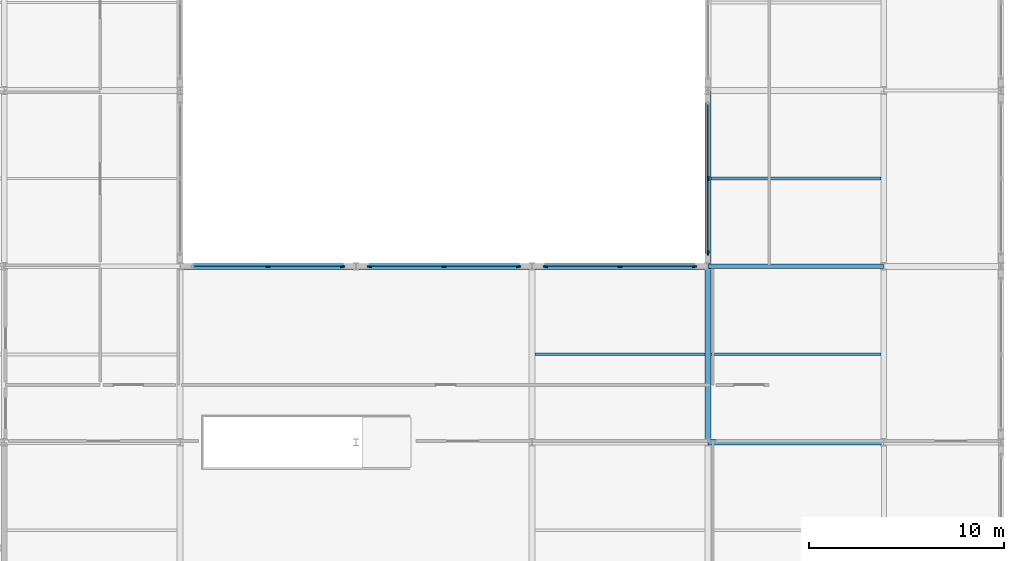
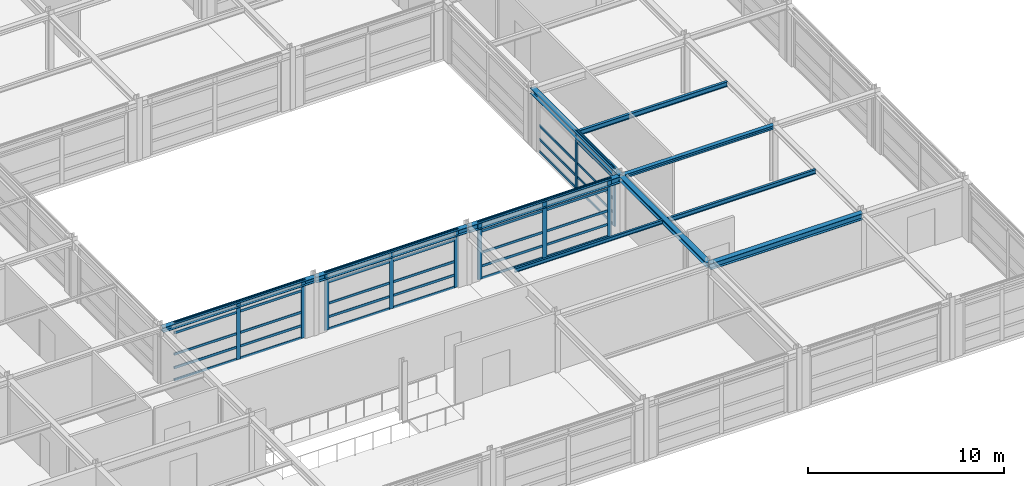
# One storey, part 41 of 79: 48 members, 10 beams, 4 elements without a shape of their own.
"""IFC4 building model written with IfcOpenShell, lengths in metres."""

from ifc_helpers import new_model, si_unit, direction, frame, origin, origin_2d, place, context, subcontext, project, spatial, rectangle, i_section, extrude, material, material_profile, profile_set, type_object, element, aggregate, save


model = new_model("IFC4")

# Units and contexts
model_context = context("Model", 3, precision=1e-05, world=origin(), true_north=direction((0.0, 1.0)))
body_context = subcontext(model_context, "Body", "Model", "MODEL_VIEW")
ifc_project = project(units=[si_unit("LENGTHUNIT", "METRE"), si_unit("AREAUNIT", "SQUARE_METRE"), si_unit("VOLUMEUNIT", "CUBIC_METRE"), si_unit("PLANEANGLEUNIT", "RADIAN"), si_unit("MASSUNIT", "GRAM", prefix="KILO")], contexts=[model_context])

# Site, building, storey
site_placement = place(None, origin())
site = spatial("IfcSite", under=ifc_project, at=site_placement, CompositionType="ELEMENT")
building_placement = place(site_placement, origin())
building = spatial("IfcBuilding", under=site, at=building_placement, Name="Palais des Congres Ocreval", CompositionType="ELEMENT")
storey_placement = place(building_placement, frame((0.0, 0.0, 4.320068359375)))
storey = spatial("IfcBuildingStorey", under=building, at=storey_placement, Name="L01", CompositionType="ELEMENT", Elevation=4.320068359375)

# Curtain wall, members
ifc_material_1 = material(Name="Anodized bronze aluminium and low-E glass", Category="glass")
curtain_wall_type = type_object("IfcCurtainWallType", Name="Unitised Curtain Wall 7900x3660", PredefinedType="USERDEFINED", material=ifc_material_1)
curtain_wall_1_placement = place(storey_placement, origin())
curtain_wall_1 = element("IfcCurtainWall", 1, at=curtain_wall_1_placement, inside=storey, type_object=curtain_wall_type, Name="Unitised Curtain Wall CW02 L01", ObjectType="UNITISED CURTAIN WALL", PredefinedType="USERDEFINED")
ifc_material_2 = material(Name="Anodized bronze aluminium", Category="aluminium")
ifc_material_profile_1 = material_profile(ifc_material_2, rectangle(XDim=0.074951171875, YDim=0.239990234375, at=origin_2d()), Name="ALU 75x240")
ifc_profile_set_1 = profile_set([ifc_material_profile_1], Name="Anodized bronze aluminium")
member_type_1 = type_object("IfcMemberType", Name="Curtain Wall Mullion ALU 75x240", PredefinedType="MULLION", material=ifc_profile_set_1)
member_1_placement = place(storey_placement, frame((153.0, 18.6875, 0.0), z_axis=(0.0, 0.0, 1.0), x_axis=(-1.0, 0.0, 0.0)))
member_1 = element("IfcMember", 2, at=member_1_placement, type_object=member_type_1, Name="Curtain Wall Mullion ML01", PredefinedType="MULLION", context=body_context, shape_type="SweptSolid", body=[
    extrude(rectangle(XDim=0.074951171875, YDim=0.239990234375, at=origin_2d()), origin(), (0.0, 0.0, 1.0), 3.599853515625),
])
member_2_placement = place(storey_placement, frame((153.0, 22.5, 0.0), z_axis=(0.0, 0.0, 1.0), x_axis=(-1.0, 0.0, 0.0)))
member_2 = element("IfcMember", 3, at=member_2_placement, type_object=member_type_1, Name="Curtain Wall Mullion ML01", PredefinedType="MULLION", context=body_context, shape_type="SweptSolid", body=[
    extrude(rectangle(XDim=0.074951171875, YDim=0.239990234375, at=origin_2d()), origin(), (0.0, 0.0, 1.0), 3.599853515625),
])

curtain_wall_2_placement = place(storey_placement, origin())
curtain_wall_2 = element("IfcCurtainWall", 4, at=curtain_wall_2_placement, inside=storey, type_object=curtain_wall_type, Name="Unitised Curtain Wall CW02 L01", ObjectType="UNITISED CURTAIN WALL", PredefinedType="USERDEFINED")
member_3_placement = place(storey_placement, frame((130.5, 18.0, 0.0), z_axis=(0.0, 0.0, 1.0), x_axis=(0.0, 1.0, 0.0)))
member_3 = element("IfcMember", 5, at=member_3_placement, type_object=member_type_1, Name="Curtain Wall Mullion ML01", PredefinedType="MULLION", context=body_context, shape_type="SweptSolid", body=[
    extrude(rectangle(XDim=0.074951171875, YDim=0.239990234375, at=origin_2d()), origin(), (0.0, 0.0, 1.0), 3.599853515625),
])
member_4_placement = place(storey_placement, frame((134.3125, 18.0, 0.0), z_axis=(0.0, 0.0, 1.0), x_axis=(0.0, 1.0, 0.0)))
member_4 = element("IfcMember", 6, at=member_4_placement, type_object=member_type_1, Name="Curtain Wall Mullion ML01", PredefinedType="MULLION", context=body_context, shape_type="SweptSolid", body=[
    extrude(rectangle(XDim=0.074951171875, YDim=0.239990234375, at=origin_2d()), origin(), (0.0, 0.0, 1.0), 3.599853515625),
])

curtain_wall_3_placement = place(storey_placement, origin())
curtain_wall_3 = element("IfcCurtainWall", 7, at=curtain_wall_3_placement, inside=storey, type_object=curtain_wall_type, Name="Unitised Curtain Wall CW02 L01", ObjectType="UNITISED CURTAIN WALL", PredefinedType="USERDEFINED")
member_5_placement = place(storey_placement, frame((135.6875, 18.0, 0.0), z_axis=(0.0, 0.0, 1.0), x_axis=(0.0, 1.0, 0.0)))
member_5 = element("IfcMember", 8, at=member_5_placement, type_object=member_type_1, Name="Curtain Wall Mullion ML01", PredefinedType="MULLION", context=body_context, shape_type="SweptSolid", body=[
    extrude(rectangle(XDim=0.074951171875, YDim=0.239990234375, at=origin_2d()), origin(), (0.0, 0.0, 1.0), 3.599853515625),
])
member_6_placement = place(storey_placement, frame((139.5, 18.0, 0.0), z_axis=(0.0, 0.0, 1.0), x_axis=(0.0, 1.0, 0.0)))
member_6 = element("IfcMember", 9, at=member_6_placement, type_object=member_type_1, Name="Curtain Wall Mullion ML01", PredefinedType="MULLION", context=body_context, shape_type="SweptSolid", body=[
    extrude(rectangle(XDim=0.074951171875, YDim=0.239990234375, at=origin_2d()), origin(), (0.0, 0.0, 1.0), 3.599853515625),
])
member_7_placement = place(storey_placement, frame((143.3125, 18.0, 0.0), z_axis=(0.0, 0.0, 1.0), x_axis=(0.0, 1.0, 0.0)))
member_7 = element("IfcMember", 10, at=member_7_placement, type_object=member_type_1, Name="Curtain Wall Mullion ML01", PredefinedType="MULLION", context=body_context, shape_type="SweptSolid", body=[
    extrude(rectangle(XDim=0.074951171875, YDim=0.239990234375, at=origin_2d()), origin(), (0.0, 0.0, 1.0), 3.599853515625),
])

curtain_wall_4_placement = place(storey_placement, origin())
curtain_wall_4 = element("IfcCurtainWall", 11, at=curtain_wall_4_placement, inside=storey, type_object=curtain_wall_type, Name="Unitised Curtain Wall CW02 L01", ObjectType="UNITISED CURTAIN WALL", PredefinedType="USERDEFINED")
member_8_placement = place(storey_placement, frame((144.6875, 18.0, 0.0), z_axis=(0.0, 0.0, 1.0), x_axis=(0.0, 1.0, 0.0)))
member_8 = element("IfcMember", 12, at=member_8_placement, type_object=member_type_1, Name="Curtain Wall Mullion ML01", PredefinedType="MULLION", context=body_context, shape_type="SweptSolid", body=[
    extrude(rectangle(XDim=0.074951171875, YDim=0.239990234375, at=origin_2d()), origin(), (0.0, 0.0, 1.0), 3.599853515625),
])
member_9_placement = place(storey_placement, frame((148.5, 18.0, 0.0), z_axis=(0.0, 0.0, 1.0), x_axis=(0.0, 1.0, 0.0)))
member_9 = element("IfcMember", 13, at=member_9_placement, type_object=member_type_1, Name="Curtain Wall Mullion ML01", PredefinedType="MULLION", context=body_context, shape_type="SweptSolid", body=[
    extrude(rectangle(XDim=0.074951171875, YDim=0.239990234375, at=origin_2d()), origin(), (0.0, 0.0, 1.0), 3.599853515625),
])
member_10_placement = place(storey_placement, frame((152.3125, 18.0, 0.0), z_axis=(0.0, 0.0, 1.0), x_axis=(0.0, 1.0, 0.0)))
member_10 = element("IfcMember", 14, at=member_10_placement, type_object=member_type_1, Name="Curtain Wall Mullion ML01", PredefinedType="MULLION", context=body_context, shape_type="SweptSolid", body=[
    extrude(rectangle(XDim=0.074951171875, YDim=0.239990234375, at=origin_2d()), origin(), (0.0, 0.0, 1.0), 3.599853515625),
])

# Member
ifc_material_profile_2 = material_profile(ifc_material_2, rectangle(XDim=0.06005859375, YDim=0.14990234375, at=origin_2d()), Name="ALU 60x150")
ifc_profile_set_2 = profile_set([ifc_material_profile_2], Name="Anodized bronze aluminium")
member_type_2 = type_object("IfcMemberType", Name="Curtain Wall Transom ALU 60x150", PredefinedType="USERDEFINED", material=ifc_profile_set_2)
member_11_placement = place(storey_placement, frame((153.0, 18.72509765625, 0.030029296875), z_axis=(0.0, 1.0, 0.0), x_axis=(-1.0, 0.0, 0.0)))
member_11 = element("IfcMember", 15, at=member_11_placement, type_object=member_type_2, Name="Curtain Wall Transom TR01", ObjectType="TRANSOM", PredefinedType="USERDEFINED", context=body_context, shape_type="SweptSolid", body=[
    extrude(rectangle(XDim=0.06005859375, YDim=0.14990234375, at=origin_2d()), origin(), (0.0, 0.0, 1.0), 3.7373046875),
])

member_12_placement = place(storey_placement, frame((153.0, 18.72509765625, 0.780029296875), z_axis=(0.0, 1.0, 0.0), x_axis=(-1.0, 0.0, 0.0)))
member_12 = element("IfcMember", 16, at=member_12_placement, type_object=member_type_2, Name="Curtain Wall Transom TR01", ObjectType="TRANSOM", PredefinedType="USERDEFINED", context=body_context, shape_type="SweptSolid", body=[
    extrude(rectangle(XDim=0.06005859375, YDim=0.14990234375, at=origin_2d()), origin(), (0.0, 0.0, 1.0), 3.7373046875),
])

member_13_placement = place(storey_placement, frame((153.0, 18.72509765625, 1.622314453125), z_axis=(0.0, 1.0, 0.0), x_axis=(-1.0, 0.0, 0.0)))
member_13 = element("IfcMember", 17, at=member_13_placement, type_object=member_type_2, Name="Curtain Wall Transom TR01", ObjectType="TRANSOM", PredefinedType="USERDEFINED", context=body_context, shape_type="SweptSolid", body=[
    extrude(rectangle(XDim=0.06005859375, YDim=0.14990234375, at=origin_2d()), origin(), (0.0, 0.0, 1.0), 3.7373046875),
])

member_14_placement = place(storey_placement, frame((153.0, 18.72509765625, 2.949951171875), z_axis=(0.0, 1.0, 0.0), x_axis=(-1.0, 0.0, 0.0)))
member_14 = element("IfcMember", 18, at=member_14_placement, type_object=member_type_2, Name="Curtain Wall Transom TR01", ObjectType="TRANSOM", PredefinedType="USERDEFINED", context=body_context, shape_type="SweptSolid", body=[
    extrude(rectangle(XDim=0.06005859375, YDim=0.14990234375, at=origin_2d()), origin(), (0.0, 0.0, 1.0), 3.7373046875),
])

member_15_placement = place(storey_placement, frame((153.0, 18.72509765625, 3.56982421875), z_axis=(0.0, 1.0, 0.0), x_axis=(-1.0, 0.0, 0.0)))
member_15 = element("IfcMember", 19, at=member_15_placement, type_object=member_type_2, Name="Curtain Wall Transom TR01", ObjectType="TRANSOM", PredefinedType="USERDEFINED", context=body_context, shape_type="SweptSolid", body=[
    extrude(rectangle(XDim=0.06005859375, YDim=0.14990234375, at=origin_2d()), origin(), (0.0, 0.0, 1.0), 3.7373046875),
])

member_16_placement = place(storey_placement, frame((153.0, 22.53759765625, 0.030029296875), z_axis=(0.0, 1.0, 0.0), x_axis=(-1.0, 0.0, 0.0)))
member_16 = element("IfcMember", 20, at=member_16_placement, type_object=member_type_2, Name="Curtain Wall Transom TR01", ObjectType="TRANSOM", PredefinedType="USERDEFINED", context=body_context, shape_type="SweptSolid", body=[
    extrude(rectangle(XDim=0.06005859375, YDim=0.14990234375, at=origin_2d()), origin(), (0.0, 0.0, 1.0), 3.7373046875),
])

member_17_placement = place(storey_placement, frame((153.0, 22.53759765625, 0.780029296875), z_axis=(0.0, 1.0, 0.0), x_axis=(-1.0, 0.0, 0.0)))
member_17 = element("IfcMember", 21, at=member_17_placement, type_object=member_type_2, Name="Curtain Wall Transom TR01", ObjectType="TRANSOM", PredefinedType="USERDEFINED", context=body_context, shape_type="SweptSolid", body=[
    extrude(rectangle(XDim=0.06005859375, YDim=0.14990234375, at=origin_2d()), origin(), (0.0, 0.0, 1.0), 3.7373046875),
])

member_18_placement = place(storey_placement, frame((153.0, 22.53759765625, 1.622314453125), z_axis=(0.0, 1.0, 0.0), x_axis=(-1.0, 0.0, 0.0)))
member_18 = element("IfcMember", 22, at=member_18_placement, type_object=member_type_2, Name="Curtain Wall Transom TR01", ObjectType="TRANSOM", PredefinedType="USERDEFINED", context=body_context, shape_type="SweptSolid", body=[
    extrude(rectangle(XDim=0.06005859375, YDim=0.14990234375, at=origin_2d()), origin(), (0.0, 0.0, 1.0), 3.7373046875),
])

aggregate(curtain_wall_1, [member_1, member_2, member_11, member_12, member_13, member_14, member_15, member_16, member_17, member_18])

member_19_placement = place(storey_placement, frame((126.72509765625, 18.0, 0.030029296875), z_axis=(1.0, 0.0, 0.0), x_axis=(0.0, 1.0, 0.0)))
member_19 = element("IfcMember", 23, at=member_19_placement, type_object=member_type_2, Name="Curtain Wall Transom TR01", ObjectType="TRANSOM", PredefinedType="USERDEFINED", context=body_context, shape_type="SweptSolid", body=[
    extrude(rectangle(XDim=0.06005859375, YDim=0.14990234375, at=origin_2d()), origin(), (0.0, 0.0, 1.0), 3.7373046875),
])

member_20_placement = place(storey_placement, frame((126.72509765625, 18.0, 0.780029296875), z_axis=(1.0, 0.0, 0.0), x_axis=(0.0, 1.0, 0.0)))
member_20 = element("IfcMember", 24, at=member_20_placement, type_object=member_type_2, Name="Curtain Wall Transom TR01", ObjectType="TRANSOM", PredefinedType="USERDEFINED", context=body_context, shape_type="SweptSolid", body=[
    extrude(rectangle(XDim=0.06005859375, YDim=0.14990234375, at=origin_2d()), origin(), (0.0, 0.0, 1.0), 3.7373046875),
])

member_21_placement = place(storey_placement, frame((126.72509765625, 18.0, 1.622314453125), z_axis=(1.0, 0.0, 0.0), x_axis=(0.0, 1.0, 0.0)))
member_21 = element("IfcMember", 25, at=member_21_placement, type_object=member_type_2, Name="Curtain Wall Transom TR01", ObjectType="TRANSOM", PredefinedType="USERDEFINED", context=body_context, shape_type="SweptSolid", body=[
    extrude(rectangle(XDim=0.06005859375, YDim=0.14990234375, at=origin_2d()), origin(), (0.0, 0.0, 1.0), 3.7373046875),
])

member_22_placement = place(storey_placement, frame((126.72509765625, 18.0, 2.949951171875), z_axis=(1.0, 0.0, 0.0), x_axis=(0.0, 1.0, 0.0)))
member_22 = element("IfcMember", 26, at=member_22_placement, type_object=member_type_2, Name="Curtain Wall Transom TR01", ObjectType="TRANSOM", PredefinedType="USERDEFINED", context=body_context, shape_type="SweptSolid", body=[
    extrude(rectangle(XDim=0.06005859375, YDim=0.14990234375, at=origin_2d()), origin(), (0.0, 0.0, 1.0), 3.7373046875),
])

member_23_placement = place(storey_placement, frame((126.72509765625, 18.0, 3.56982421875), z_axis=(1.0, 0.0, 0.0), x_axis=(0.0, 1.0, 0.0)))
member_23 = element("IfcMember", 27, at=member_23_placement, type_object=member_type_2, Name="Curtain Wall Transom TR01", ObjectType="TRANSOM", PredefinedType="USERDEFINED", context=body_context, shape_type="SweptSolid", body=[
    extrude(rectangle(XDim=0.06005859375, YDim=0.14990234375, at=origin_2d()), origin(), (0.0, 0.0, 1.0), 3.7373046875),
])

member_24_placement = place(storey_placement, frame((130.53759765625, 18.0, 0.030029296875), z_axis=(1.0, 0.0, 0.0), x_axis=(0.0, 1.0, 0.0)))
member_24 = element("IfcMember", 28, at=member_24_placement, type_object=member_type_2, Name="Curtain Wall Transom TR01", ObjectType="TRANSOM", PredefinedType="USERDEFINED", context=body_context, shape_type="SweptSolid", body=[
    extrude(rectangle(XDim=0.06005859375, YDim=0.14990234375, at=origin_2d()), origin(), (0.0, 0.0, 1.0), 3.7373046875),
])

member_25_placement = place(storey_placement, frame((130.53759765625, 18.0, 0.780029296875), z_axis=(1.0, 0.0, 0.0), x_axis=(0.0, 1.0, 0.0)))
member_25 = element("IfcMember", 29, at=member_25_placement, type_object=member_type_2, Name="Curtain Wall Transom TR01", ObjectType="TRANSOM", PredefinedType="USERDEFINED", context=body_context, shape_type="SweptSolid", body=[
    extrude(rectangle(XDim=0.06005859375, YDim=0.14990234375, at=origin_2d()), origin(), (0.0, 0.0, 1.0), 3.7373046875),
])

member_26_placement = place(storey_placement, frame((130.53759765625, 18.0, 1.622314453125), z_axis=(1.0, 0.0, 0.0), x_axis=(0.0, 1.0, 0.0)))
member_26 = element("IfcMember", 30, at=member_26_placement, type_object=member_type_2, Name="Curtain Wall Transom TR01", ObjectType="TRANSOM", PredefinedType="USERDEFINED", context=body_context, shape_type="SweptSolid", body=[
    extrude(rectangle(XDim=0.06005859375, YDim=0.14990234375, at=origin_2d()), origin(), (0.0, 0.0, 1.0), 3.7373046875),
])

member_27_placement = place(storey_placement, frame((130.53759765625, 18.0, 2.949951171875), z_axis=(1.0, 0.0, 0.0), x_axis=(0.0, 1.0, 0.0)))
member_27 = element("IfcMember", 31, at=member_27_placement, type_object=member_type_2, Name="Curtain Wall Transom TR01", ObjectType="TRANSOM", PredefinedType="USERDEFINED", context=body_context, shape_type="SweptSolid", body=[
    extrude(rectangle(XDim=0.06005859375, YDim=0.14990234375, at=origin_2d()), origin(), (0.0, 0.0, 1.0), 3.7373046875),
])

member_28_placement = place(storey_placement, frame((130.53759765625, 18.0, 3.56982421875), z_axis=(1.0, 0.0, 0.0), x_axis=(0.0, 1.0, 0.0)))
member_28 = element("IfcMember", 32, at=member_28_placement, type_object=member_type_2, Name="Curtain Wall Transom TR01", ObjectType="TRANSOM", PredefinedType="USERDEFINED", context=body_context, shape_type="SweptSolid", body=[
    extrude(rectangle(XDim=0.06005859375, YDim=0.14990234375, at=origin_2d()), origin(), (0.0, 0.0, 1.0), 3.7373046875),
])

aggregate(curtain_wall_2, [member_3, member_4, member_19, member_20, member_21, member_22, member_23, member_24, member_25, member_26, member_27, member_28])

member_29_placement = place(storey_placement, frame((135.72509765625, 18.0, 0.030029296875), z_axis=(1.0, 0.0, 0.0), x_axis=(0.0, 1.0, 0.0)))
member_29 = element("IfcMember", 33, at=member_29_placement, type_object=member_type_2, Name="Curtain Wall Transom TR01", ObjectType="TRANSOM", PredefinedType="USERDEFINED", context=body_context, shape_type="SweptSolid", body=[
    extrude(rectangle(XDim=0.06005859375, YDim=0.14990234375, at=origin_2d()), origin(), (0.0, 0.0, 1.0), 3.7373046875),
])

member_30_placement = place(storey_placement, frame((135.72509765625, 18.0, 0.780029296875), z_axis=(1.0, 0.0, 0.0), x_axis=(0.0, 1.0, 0.0)))
member_30 = element("IfcMember", 34, at=member_30_placement, type_object=member_type_2, Name="Curtain Wall Transom TR01", ObjectType="TRANSOM", PredefinedType="USERDEFINED", context=body_context, shape_type="SweptSolid", body=[
    extrude(rectangle(XDim=0.06005859375, YDim=0.14990234375, at=origin_2d()), origin(), (0.0, 0.0, 1.0), 3.7373046875),
])

member_31_placement = place(storey_placement, frame((135.72509765625, 18.0, 1.622314453125), z_axis=(1.0, 0.0, 0.0), x_axis=(0.0, 1.0, 0.0)))
member_31 = element("IfcMember", 35, at=member_31_placement, type_object=member_type_2, Name="Curtain Wall Transom TR01", ObjectType="TRANSOM", PredefinedType="USERDEFINED", context=body_context, shape_type="SweptSolid", body=[
    extrude(rectangle(XDim=0.06005859375, YDim=0.14990234375, at=origin_2d()), origin(), (0.0, 0.0, 1.0), 3.7373046875),
])

member_32_placement = place(storey_placement, frame((135.72509765625, 18.0, 2.949951171875), z_axis=(1.0, 0.0, 0.0), x_axis=(0.0, 1.0, 0.0)))
member_32 = element("IfcMember", 36, at=member_32_placement, type_object=member_type_2, Name="Curtain Wall Transom TR01", ObjectType="TRANSOM", PredefinedType="USERDEFINED", context=body_context, shape_type="SweptSolid", body=[
    extrude(rectangle(XDim=0.06005859375, YDim=0.14990234375, at=origin_2d()), origin(), (0.0, 0.0, 1.0), 3.7373046875),
])

member_33_placement = place(storey_placement, frame((135.72509765625, 18.0, 3.56982421875), z_axis=(1.0, 0.0, 0.0), x_axis=(0.0, 1.0, 0.0)))
member_33 = element("IfcMember", 37, at=member_33_placement, type_object=member_type_2, Name="Curtain Wall Transom TR01", ObjectType="TRANSOM", PredefinedType="USERDEFINED", context=body_context, shape_type="SweptSolid", body=[
    extrude(rectangle(XDim=0.06005859375, YDim=0.14990234375, at=origin_2d()), origin(), (0.0, 0.0, 1.0), 3.7373046875),
])

member_34_placement = place(storey_placement, frame((139.53759765625, 18.0, 0.030029296875), z_axis=(1.0, 0.0, 0.0), x_axis=(0.0, 1.0, 0.0)))
member_34 = element("IfcMember", 38, at=member_34_placement, type_object=member_type_2, Name="Curtain Wall Transom TR01", ObjectType="TRANSOM", PredefinedType="USERDEFINED", context=body_context, shape_type="SweptSolid", body=[
    extrude(rectangle(XDim=0.06005859375, YDim=0.14990234375, at=origin_2d()), origin(), (0.0, 0.0, 1.0), 3.7373046875),
])

member_35_placement = place(storey_placement, frame((139.53759765625, 18.0, 0.780029296875), z_axis=(1.0, 0.0, 0.0), x_axis=(0.0, 1.0, 0.0)))
member_35 = element("IfcMember", 39, at=member_35_placement, type_object=member_type_2, Name="Curtain Wall Transom TR01", ObjectType="TRANSOM", PredefinedType="USERDEFINED", context=body_context, shape_type="SweptSolid", body=[
    extrude(rectangle(XDim=0.06005859375, YDim=0.14990234375, at=origin_2d()), origin(), (0.0, 0.0, 1.0), 3.7373046875),
])

member_36_placement = place(storey_placement, frame((139.53759765625, 18.0, 1.622314453125), z_axis=(1.0, 0.0, 0.0), x_axis=(0.0, 1.0, 0.0)))
member_36 = element("IfcMember", 40, at=member_36_placement, type_object=member_type_2, Name="Curtain Wall Transom TR01", ObjectType="TRANSOM", PredefinedType="USERDEFINED", context=body_context, shape_type="SweptSolid", body=[
    extrude(rectangle(XDim=0.06005859375, YDim=0.14990234375, at=origin_2d()), origin(), (0.0, 0.0, 1.0), 3.7373046875),
])

member_37_placement = place(storey_placement, frame((139.53759765625, 18.0, 2.949951171875), z_axis=(1.0, 0.0, 0.0), x_axis=(0.0, 1.0, 0.0)))
member_37 = element("IfcMember", 41, at=member_37_placement, type_object=member_type_2, Name="Curtain Wall Transom TR01", ObjectType="TRANSOM", PredefinedType="USERDEFINED", context=body_context, shape_type="SweptSolid", body=[
    extrude(rectangle(XDim=0.06005859375, YDim=0.14990234375, at=origin_2d()), origin(), (0.0, 0.0, 1.0), 3.7373046875),
])

member_38_placement = place(storey_placement, frame((139.53759765625, 18.0, 3.56982421875), z_axis=(1.0, 0.0, 0.0), x_axis=(0.0, 1.0, 0.0)))
member_38 = element("IfcMember", 42, at=member_38_placement, type_object=member_type_2, Name="Curtain Wall Transom TR01", ObjectType="TRANSOM", PredefinedType="USERDEFINED", context=body_context, shape_type="SweptSolid", body=[
    extrude(rectangle(XDim=0.06005859375, YDim=0.14990234375, at=origin_2d()), origin(), (0.0, 0.0, 1.0), 3.7373046875),
])

aggregate(curtain_wall_3, [member_5, member_6, member_7, member_29, member_30, member_31, member_32, member_33, member_34, member_35, member_36, member_37, member_38])

member_39_placement = place(storey_placement, frame((144.72509765625, 18.0, 0.030029296875), z_axis=(1.0, 0.0, 0.0), x_axis=(0.0, 1.0, 0.0)))
member_39 = element("IfcMember", 43, at=member_39_placement, type_object=member_type_2, Name="Curtain Wall Transom TR01", ObjectType="TRANSOM", PredefinedType="USERDEFINED", context=body_context, shape_type="SweptSolid", body=[
    extrude(rectangle(XDim=0.06005859375, YDim=0.14990234375, at=origin_2d()), origin(), (0.0, 0.0, 1.0), 3.7373046875),
])

member_40_placement = place(storey_placement, frame((144.72509765625, 18.0, 0.780029296875), z_axis=(1.0, 0.0, 0.0), x_axis=(0.0, 1.0, 0.0)))
member_40 = element("IfcMember", 44, at=member_40_placement, type_object=member_type_2, Name="Curtain Wall Transom TR01", ObjectType="TRANSOM", PredefinedType="USERDEFINED", context=body_context, shape_type="SweptSolid", body=[
    extrude(rectangle(XDim=0.06005859375, YDim=0.14990234375, at=origin_2d()), origin(), (0.0, 0.0, 1.0), 3.7373046875),
])

member_41_placement = place(storey_placement, frame((144.72509765625, 18.0, 1.622314453125), z_axis=(1.0, 0.0, 0.0), x_axis=(0.0, 1.0, 0.0)))
member_41 = element("IfcMember", 45, at=member_41_placement, type_object=member_type_2, Name="Curtain Wall Transom TR01", ObjectType="TRANSOM", PredefinedType="USERDEFINED", context=body_context, shape_type="SweptSolid", body=[
    extrude(rectangle(XDim=0.06005859375, YDim=0.14990234375, at=origin_2d()), origin(), (0.0, 0.0, 1.0), 3.7373046875),
])

member_42_placement = place(storey_placement, frame((144.72509765625, 18.0, 2.949951171875), z_axis=(1.0, 0.0, 0.0), x_axis=(0.0, 1.0, 0.0)))
member_42 = element("IfcMember", 46, at=member_42_placement, type_object=member_type_2, Name="Curtain Wall Transom TR01", ObjectType="TRANSOM", PredefinedType="USERDEFINED", context=body_context, shape_type="SweptSolid", body=[
    extrude(rectangle(XDim=0.06005859375, YDim=0.14990234375, at=origin_2d()), origin(), (0.0, 0.0, 1.0), 3.7373046875),
])

member_43_placement = place(storey_placement, frame((144.72509765625, 18.0, 3.56982421875), z_axis=(1.0, 0.0, 0.0), x_axis=(0.0, 1.0, 0.0)))
member_43 = element("IfcMember", 47, at=member_43_placement, type_object=member_type_2, Name="Curtain Wall Transom TR01", ObjectType="TRANSOM", PredefinedType="USERDEFINED", context=body_context, shape_type="SweptSolid", body=[
    extrude(rectangle(XDim=0.06005859375, YDim=0.14990234375, at=origin_2d()), origin(), (0.0, 0.0, 1.0), 3.7373046875),
])

member_44_placement = place(storey_placement, frame((148.53759765625, 18.0, 0.030029296875), z_axis=(1.0, 0.0, 0.0), x_axis=(0.0, 1.0, 0.0)))
member_44 = element("IfcMember", 48, at=member_44_placement, type_object=member_type_2, Name="Curtain Wall Transom TR01", ObjectType="TRANSOM", PredefinedType="USERDEFINED", context=body_context, shape_type="SweptSolid", body=[
    extrude(rectangle(XDim=0.06005859375, YDim=0.14990234375, at=origin_2d()), origin(), (0.0, 0.0, 1.0), 3.7373046875),
])

member_45_placement = place(storey_placement, frame((148.53759765625, 18.0, 0.780029296875), z_axis=(1.0, 0.0, 0.0), x_axis=(0.0, 1.0, 0.0)))
member_45 = element("IfcMember", 49, at=member_45_placement, type_object=member_type_2, Name="Curtain Wall Transom TR01", ObjectType="TRANSOM", PredefinedType="USERDEFINED", context=body_context, shape_type="SweptSolid", body=[
    extrude(rectangle(XDim=0.06005859375, YDim=0.14990234375, at=origin_2d()), origin(), (0.0, 0.0, 1.0), 3.7373046875),
])

member_46_placement = place(storey_placement, frame((148.53759765625, 18.0, 1.622314453125), z_axis=(1.0, 0.0, 0.0), x_axis=(0.0, 1.0, 0.0)))
member_46 = element("IfcMember", 50, at=member_46_placement, type_object=member_type_2, Name="Curtain Wall Transom TR01", ObjectType="TRANSOM", PredefinedType="USERDEFINED", context=body_context, shape_type="SweptSolid", body=[
    extrude(rectangle(XDim=0.06005859375, YDim=0.14990234375, at=origin_2d()), origin(), (0.0, 0.0, 1.0), 3.7373046875),
])

member_47_placement = place(storey_placement, frame((148.53759765625, 18.0, 2.949951171875), z_axis=(1.0, 0.0, 0.0), x_axis=(0.0, 1.0, 0.0)))
member_47 = element("IfcMember", 51, at=member_47_placement, type_object=member_type_2, Name="Curtain Wall Transom TR01", ObjectType="TRANSOM", PredefinedType="USERDEFINED", context=body_context, shape_type="SweptSolid", body=[
    extrude(rectangle(XDim=0.06005859375, YDim=0.14990234375, at=origin_2d()), origin(), (0.0, 0.0, 1.0), 3.7373046875),
])

member_48_placement = place(storey_placement, frame((148.53759765625, 18.0, 3.56982421875), z_axis=(1.0, 0.0, 0.0), x_axis=(0.0, 1.0, 0.0)))
member_48 = element("IfcMember", 52, at=member_48_placement, type_object=member_type_2, Name="Curtain Wall Transom TR01", ObjectType="TRANSOM", PredefinedType="USERDEFINED", context=body_context, shape_type="SweptSolid", body=[
    extrude(rectangle(XDim=0.06005859375, YDim=0.14990234375, at=origin_2d()), origin(), (0.0, 0.0, 1.0), 3.7373046875),
])

aggregate(curtain_wall_4, [member_8, member_9, member_10, member_39, member_40, member_41, member_42, member_43, member_44, member_45, member_46, member_47, member_48])

# Beams
ifc_material_3 = material(Name="Steel S355", Category="steel")
ifc_material_profile_3 = material_profile(ifc_material_3, i_section(OverallWidth=0.239990234375, OverallDepth=0.22998046875, WebThickness=0.007568359375, FlangeThickness=0.011962890625, at=origin_2d()), Name="HEA 240")
ifc_profile_set_3 = profile_set([ifc_material_profile_3], Name="Steel S355")
beam_type_1 = type_object("IfcBeamType", Name="Perimeter Spandrel HEA 240 Steel S355", PredefinedType="SPANDREL", material=ifc_profile_set_3)
beam_1_placement = place(storey_placement, frame((153.02001953125, 18.0, 3.46484375), z_axis=(1.0, 0.0, 0.0), x_axis=(0.0, 1.0, 0.0)))
element("IfcBeam", 53, at=beam_1_placement, inside=storey, type_object=beam_type_1, Name="Beam SP01 L01", PredefinedType="SPANDREL", context=body_context, shape_type="SweptSolid", body=[
    extrude(i_section(OverallWidth=0.239990234375, OverallDepth=0.22998046875, WebThickness=0.007568359375, FlangeThickness=0.011962890625, at=origin_2d()), origin(), (0.0, 0.0, 1.0), 8.9599609375),
])
ifc_material_profile_4 = material_profile(ifc_material_3, i_section(OverallWidth=0.300048828125, OverallDepth=0.300048828125, WebThickness=0.010986328125, FlangeThickness=0.01904296875, at=origin_2d()), Name="HEB 300")
ifc_profile_set_4 = profile_set([ifc_material_profile_4], Name="Steel S355")
beam_type_2 = type_object("IfcBeamType", Name="Perimeter Spandrel HEB 300 Steel S355", PredefinedType="SPANDREL", material=ifc_profile_set_4)
beam_2_placement = place(storey_placement, frame((126.02001953125, 18.0, 3.429931640625), z_axis=(1.0, 0.0, 0.0), x_axis=(0.0, 1.0, 0.0)))
element("IfcBeam", 54, at=beam_2_placement, inside=storey, type_object=beam_type_2, Name="Beam SP02 L01", PredefinedType="SPANDREL", context=body_context, shape_type="SweptSolid", body=[
    extrude(i_section(OverallWidth=0.300048828125, OverallDepth=0.300048828125, WebThickness=0.010986328125, FlangeThickness=0.01904296875, at=origin_2d()), origin(), (0.0, 0.0, 1.0), 8.9599609375),
])
ifc_material_profile_5 = material_profile(ifc_material_3, i_section(OverallWidth=0.300048828125, OverallDepth=0.360107421875, WebThickness=0.012451171875, FlangeThickness=0.0224609375, at=origin_2d()), Name="HEB 360")
ifc_profile_set_5 = profile_set([ifc_material_profile_5], Name="Steel S355")
beam_type_3 = type_object("IfcBeamType", Name="Perimeter Spandrel HEB 360 Steel S355", PredefinedType="SPANDREL", material=ifc_profile_set_5)
beam_3_placement = place(storey_placement, frame((135.02001953125, 18.0, 3.39990234375), z_axis=(1.0, 0.0, 0.0), x_axis=(0.0, 1.0, 0.0)))
element("IfcBeam", 55, at=beam_3_placement, inside=storey, type_object=beam_type_3, Name="Beam SP03 L01", PredefinedType="SPANDREL", context=body_context, shape_type="SweptSolid", body=[
    extrude(i_section(OverallWidth=0.300048828125, OverallDepth=0.360107421875, WebThickness=0.012451171875, FlangeThickness=0.0224609375, at=origin_2d()), origin(), (0.0, 0.0, 1.0), 8.9599609375),
])
ifc_material_profile_6 = material_profile(ifc_material_3, i_section(OverallWidth=0.300048828125, OverallDepth=0.39990234375, WebThickness=0.013427734375, FlangeThickness=0.02392578125, at=origin_2d()), Name="HEB 400")
ifc_profile_set_6 = profile_set([ifc_material_profile_6], Name="Steel S355")
beam_type_4 = type_object("IfcBeamType", Name="Perimeter Spandrel HEB 400 Steel S355", PredefinedType="SPANDREL", material=ifc_profile_set_6)
beam_4_placement = place(storey_placement, frame((144.02001953125, 18.0, 3.3798828125), z_axis=(1.0, 0.0, 0.0), x_axis=(0.0, 1.0, 0.0)))
element("IfcBeam", 56, at=beam_4_placement, inside=storey, type_object=beam_type_4, Name="Beam SP04 L01", PredefinedType="SPANDREL", context=body_context, shape_type="SweptSolid", body=[
    extrude(i_section(OverallWidth=0.300048828125, OverallDepth=0.39990234375, WebThickness=0.013427734375, FlangeThickness=0.02392578125, at=origin_2d()), origin(), (0.0, 0.0, 1.0), 8.9599609375),
])
ifc_material_profile_7 = material_profile(ifc_material_3, i_section(OverallWidth=0.300048828125, OverallDepth=0.2900390625, WebThickness=0.008544921875, FlangeThickness=0.013916015625, at=origin_2d()), Name="HEA 300")
ifc_profile_set_7 = profile_set([ifc_material_profile_7], Name="Steel S355")
beam_type_5 = type_object("IfcBeamType", Name="Primary Beam HEA 300 Steel S355", PredefinedType="BEAM", material=ifc_profile_set_7)
beam_5_placement = place(storey_placement, frame((153.0, 9.02001953125, 3.434814453125), z_axis=(0.0, 1.0, 0.0), x_axis=(-1.0, 0.0, 0.0)))
element("IfcBeam", 57, at=beam_5_placement, inside=storey, type_object=beam_type_5, Name="Girder B08 L01", PredefinedType="BEAM", context=body_context, shape_type="SweptSolid", body=[
    extrude(i_section(OverallWidth=0.300048828125, OverallDepth=0.2900390625, WebThickness=0.008544921875, FlangeThickness=0.013916015625, at=origin_2d()), origin(), (0.0, 0.0, 1.0), 8.9599609375),
])
ifc_material_profile_8 = material_profile(ifc_material_3, i_section(OverallWidth=0.300048828125, OverallDepth=0.330078125, WebThickness=0.009521484375, FlangeThickness=0.0166015625, at=origin_2d()), Name="HEA 340")
ifc_profile_set_8 = profile_set([ifc_material_profile_8], Name="Steel S355")
beam_type_6 = type_object("IfcBeamType", Name="Primary Beam HEA 340 Steel S355", PredefinedType="BEAM", material=ifc_profile_set_8)
beam_6_placement = place(storey_placement, frame((153.0, 18.02001953125, 3.4150390625), z_axis=(0.0, 1.0, 0.0), x_axis=(-1.0, 0.0, 0.0)))
element("IfcBeam", 58, at=beam_6_placement, inside=storey, type_object=beam_type_6, Name="Girder B09 L01", PredefinedType="BEAM", context=body_context, shape_type="SweptSolid", body=[
    extrude(i_section(OverallWidth=0.300048828125, OverallDepth=0.330078125, WebThickness=0.009521484375, FlangeThickness=0.0166015625, at=origin_2d()), origin(), (0.0, 0.0, 1.0), 8.9599609375),
])
ifc_material_profile_9 = material_profile(ifc_material_3, i_section(OverallWidth=0.300048828125, OverallDepth=0.389892578125, WebThickness=0.010986328125, FlangeThickness=0.01904296875, at=origin_2d()), Name="HEA 400")
ifc_profile_set_9 = profile_set([ifc_material_profile_9], Name="Steel S355")
beam_type_7 = type_object("IfcBeamType", Name="Primary Beam HEA 400 Steel S355", PredefinedType="BEAM", material=ifc_profile_set_9)
beam_7_placement = place(storey_placement, frame((153.02001953125, 9.0, 3.385009765625), z_axis=(1.0, 0.0, 0.0), x_axis=(0.0, 1.0, 0.0)))
element("IfcBeam", 59, at=beam_7_placement, inside=storey, type_object=beam_type_7, Name="Beam B10 L01", PredefinedType="BEAM", context=body_context, shape_type="SweptSolid", body=[
    extrude(i_section(OverallWidth=0.300048828125, OverallDepth=0.389892578125, WebThickness=0.010986328125, FlangeThickness=0.01904296875, at=origin_2d()), origin(), (0.0, 0.0, 1.0), 8.9599609375),
])
ifc_material_profile_10 = material_profile(ifc_material_3, i_section(OverallWidth=0.1201171875, OverallDepth=0.239990234375, WebThickness=0.006103515625, FlangeThickness=0.009765625, at=origin_2d()), Name="IPE 240")
ifc_profile_set_10 = profile_set([ifc_material_profile_10], Name="Steel S355")
beam_type_8 = type_object("IfcBeamType", Name="Secondary Joist IPE 240 Steel S355", PredefinedType="JOIST", material=ifc_profile_set_10)
beam_8_placement = place(storey_placement, frame((144.14990234375, 13.5, 3.4599609375), z_axis=(1.0, 0.0, 0.0), x_axis=(0.0, 1.0, 0.0)))
element("IfcBeam", 60, at=beam_8_placement, inside=storey, type_object=beam_type_8, Name="Secondary Joist J03 L01", PredefinedType="JOIST", context=body_context, shape_type="SweptSolid", body=[
    extrude(i_section(OverallWidth=0.1201171875, OverallDepth=0.239990234375, WebThickness=0.006103515625, FlangeThickness=0.009765625, at=origin_2d()), origin(), (0.0, 0.0, 1.0), 8.7001953125),
])
ifc_material_profile_11 = material_profile(ifc_material_3, i_section(OverallWidth=0.135009765625, OverallDepth=0.27001953125, WebThickness=0.006591796875, FlangeThickness=0.01025390625, at=origin_2d()), Name="IPE 270")
ifc_profile_set_11 = profile_set([ifc_material_profile_11], Name="Steel S355")
beam_type_9 = type_object("IfcBeamType", Name="Secondary Joist IPE 270 Steel S355", PredefinedType="JOIST", material=ifc_profile_set_11)
beam_9_placement = place(storey_placement, frame((153.14990234375, 13.5, 3.44482421875), z_axis=(1.0, 0.0, 0.0), x_axis=(0.0, 1.0, 0.0)))
element("IfcBeam", 61, at=beam_9_placement, inside=storey, type_object=beam_type_9, Name="Secondary Joist J04 L01", PredefinedType="JOIST", context=body_context, shape_type="SweptSolid", body=[
    extrude(i_section(OverallWidth=0.135009765625, OverallDepth=0.27001953125, WebThickness=0.006591796875, FlangeThickness=0.01025390625, at=origin_2d()), origin(), (0.0, 0.0, 1.0), 8.7001953125),
])
ifc_material_profile_12 = material_profile(ifc_material_3, i_section(OverallWidth=0.14990234375, OverallDepth=0.300048828125, WebThickness=0.007080078125, FlangeThickness=0.0107421875, at=origin_2d()), Name="IPE 300")
ifc_profile_set_12 = profile_set([ifc_material_profile_12], Name="Steel S355")
beam_type_10 = type_object("IfcBeamType", Name="Secondary Joist IPE 300 Steel S355", PredefinedType="JOIST", material=ifc_profile_set_12)
beam_10_placement = place(storey_placement, frame((153.14990234375, 22.5, 3.429931640625), z_axis=(1.0, 0.0, 0.0), x_axis=(0.0, 1.0, 0.0)))
element("IfcBeam", 62, at=beam_10_placement, inside=storey, type_object=beam_type_10, Name="Secondary Joist J05 L01", PredefinedType="JOIST", context=body_context, shape_type="SweptSolid", body=[
    extrude(i_section(OverallWidth=0.14990234375, OverallDepth=0.300048828125, WebThickness=0.007080078125, FlangeThickness=0.0107421875, at=origin_2d()), origin(), (0.0, 0.0, 1.0), 8.7001953125),
])

save(model, "model.ifc")
